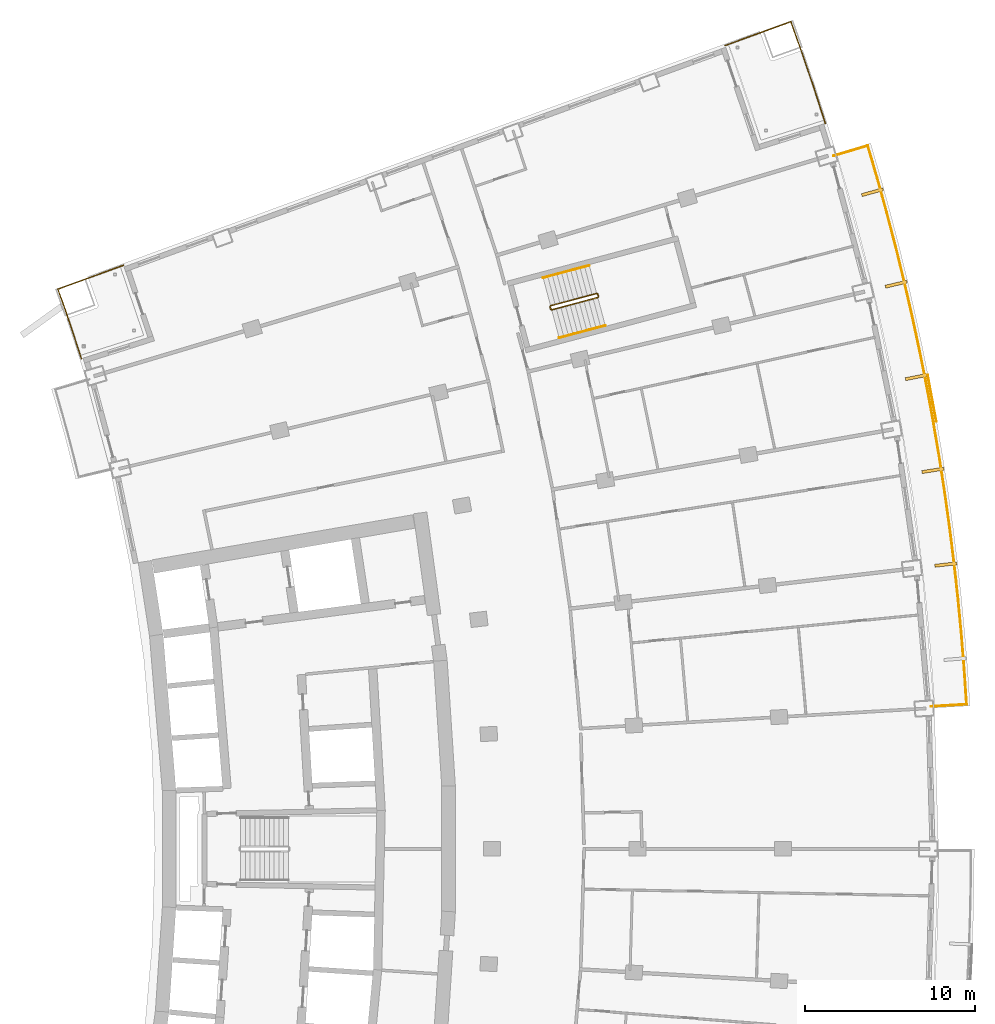
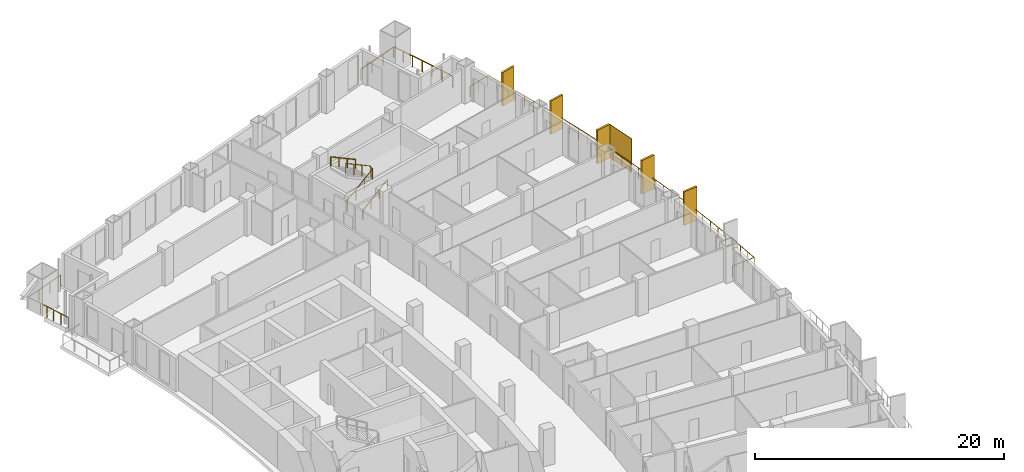
# One storey, part 24 of 24: 6 railings, 6 shading devices.
"""IFC4 building model written with IfcOpenShell, lengths in metres."""

from ifc_helpers import new_model, si_unit, direction, frame, origin, origin_2d, place, context, subcontext, project, spatial, rectangle, extrude, material, layer, layer_set, type_object, element, save


model = new_model("IFC4")

# Units and contexts
model_context = context("Model", 3, precision=1e-05, world=origin(), true_north=direction((0.0, 1.0)))
body_context = subcontext(model_context, "Body", "Model", "MODEL_VIEW")
ifc_project = project(units=[si_unit("LENGTHUNIT", "METRE"), si_unit("AREAUNIT", "SQUARE_METRE"), si_unit("VOLUMEUNIT", "CUBIC_METRE"), si_unit("PLANEANGLEUNIT", "RADIAN"), si_unit("MASSUNIT", "GRAM", prefix="KILO")], contexts=[model_context])

# Site, building, storey
site_placement = place(None, origin())
site = spatial("IfcSite", under=ifc_project, at=site_placement, CompositionType="ELEMENT")
building_placement = place(site_placement, origin())
building = spatial("IfcBuilding", under=site, at=building_placement, Name="Alderwake Tower", CompositionType="ELEMENT")
storey_placement = place(building_placement, frame((0.0, 0.0, 96.800048828125)))
storey = spatial("IfcBuildingStorey", under=building, at=storey_placement, Name="L23", CompositionType="ELEMENT", Elevation=96.800048828125)

# Railings
ifc_material_1 = material(Name="Stainless steel 316 rail and posts", Category="steel")
railing_type_1 = type_object("IfcRailingType", Name="Balcony guard 1100", PredefinedType="GUARDRAIL", material=ifc_material_1)
railing_1_placement = place(storey_placement, frame((61.552978515625, 69.365234375, 0.0)))
element("IfcRailing", 1, at=railing_1_placement, inside=storey, type_object=railing_type_1, Name="Guard BF08", PredefinedType="GUARDRAIL", context=body_context, shape_type="SweptSolid", body=[
    extrude(rectangle(XDim=0.048095703125, YDim=0.048095703125, at=origin_2d()), frame((0.0, 0.0, 1.076171875), z_axis=(0.998254674771, 0.059055942097, 0.0), x_axis=(-0.059055942097, 0.998254674771, 0.0)), (0.0, 0.0, 1.0), 2.10009765625),
    extrude(rectangle(XDim=0.048095703125, YDim=0.048095703125, at=origin_2d()), frame((2.096435546875, 0.1240234375, 1.076171875), z_axis=(-0.065967648342, 0.997821762326, 0.0), x_axis=(-0.997821762326, -0.065967648342, 0.0)), (0.0, 0.0, 1.0), 1.99853515625),
    extrude(rectangle(XDim=0.048095703125, YDim=0.048095703125, at=origin_2d()), frame((1.964599609375, 2.1181640625, 1.076171875), z_axis=(-0.080041152337, 0.996791559922, 0.0), x_axis=(-0.996791559922, -0.080041152337, 0.0)), (0.0, 0.0, 1.0), 2.0986328125),
    extrude(rectangle(XDim=0.048095703125, YDim=0.048095703125, at=origin_2d()), frame((1.796630859375, 4.2099609375, 1.076171875), z_axis=(-0.094699289711, 0.995505923904, 0.0), x_axis=(-0.995505923904, -0.094699289711, 0.0)), (0.0, 0.0, 1.0), 2.0986328125),
    extrude(rectangle(XDim=0.048095703125, YDim=0.048095703125, at=origin_2d()), frame((1.597900390625, 6.299072265625, 1.076171875), z_axis=(-0.109128966339, 0.994027599569, 0.0), x_axis=(-0.994027599569, -0.109128966339, 0.0)), (0.0, 0.0, 1.0), 2.098388671875),
    extrude(rectangle(XDim=0.048095703125, YDim=0.048095703125, at=origin_2d()), frame((1.368896484375, 8.385009765625, 1.076171875), z_axis=(-0.123662458816, 0.992324340264, 0.0), x_axis=(-0.992324340264, -0.123662458816, 0.0)), (0.0, 0.0, 1.0), 2.0986328125),
    extrude(rectangle(XDim=0.048095703125, YDim=0.048095703125, at=origin_2d()), frame((1.109375, 10.467529296875, 1.076171875), z_axis=(-0.138097834966, 0.990418592302, 0.0), x_axis=(-0.990418592302, -0.138097834966, 0.0)), (0.0, 0.0, 1.0), 2.098388671875),
    extrude(rectangle(XDim=0.048095703125, YDim=0.048095703125, at=origin_2d()), frame((0.819580078125, 12.5458984375, 1.076171875), z_axis=(-0.152520506341, 0.988300306155, 0.0), x_axis=(-0.988300306155, -0.152520506341, 0.0)), (0.0, 0.0, 1.0), 2.0986328125),
    extrude(rectangle(XDim=0.048095703125, YDim=0.048095703125, at=origin_2d()), frame((0.49951171875, 14.619873046875, 1.076171875), z_axis=(-0.16694530238, 0.985966158655, 0.0), x_axis=(-0.985966158655, -0.16694530238, 0.0)), (0.0, 0.0, 1.0), 2.0986328125),
    extrude(rectangle(XDim=0.048095703125, YDim=0.048095703125, at=origin_2d()), frame((0.149169921875, 16.68896484375, 1.076171875), z_axis=(-0.18126014614, 0.983435183132, 0.0), x_axis=(-0.983435183132, -0.18126014614, 0.0)), (0.0, 0.0, 1.0), 2.098388671875),
    extrude(rectangle(XDim=0.048095703125, YDim=0.048095703125, at=origin_2d()), frame((-0.231201171875, 18.752685546875, 1.076171875), z_axis=(-0.195691012753, 0.980665604336, 0.0), x_axis=(-0.980665604336, -0.195691012753, 0.0)), (0.0, 0.0, 1.0), 2.098388671875),
    extrude(rectangle(XDim=0.048095703125, YDim=0.048095703125, at=origin_2d()), frame((-0.641845703125, 20.810546875, 1.076171875), z_axis=(-0.209854794081, 0.977732563333, 0.0), x_axis=(-0.977732563333, -0.209854794081, 0.0)), (0.0, 0.0, 1.0), 2.0986328125),
    extrude(rectangle(XDim=0.048095703125, YDim=0.048095703125, at=origin_2d()), frame((-1.082275390625, 22.862548828125, 1.076171875), z_axis=(-0.224094649438, 0.974567385096, 0.0), x_axis=(-0.974567385096, -0.224094649438, 0.0)), (0.0, 0.0, 1.0), 2.098388671875),
    extrude(rectangle(XDim=0.048095703125, YDim=0.048095703125, at=origin_2d()), frame((-1.552490234375, 24.907470703125, 1.076171875), z_axis=(-0.238262937818, 0.971200685987, 0.0), x_axis=(-0.971200685987, -0.238262937818, 0.0)), (0.0, 0.0, 1.0), 2.0986328125),
    extrude(rectangle(XDim=0.048095703125, YDim=0.048095703125, at=origin_2d()), frame((-2.052490234375, 26.945556640625, 1.076171875), z_axis=(-0.252459784968, 0.967607387825, 0.0), x_axis=(-0.967607387825, -0.252459784968, 0.0)), (0.0, 0.0, 1.0), 2.098388671875),
    extrude(rectangle(XDim=0.048095703125, YDim=0.048095703125, at=origin_2d()), frame((-2.582275390625, 28.97607421875, 1.076171875), z_axis=(-0.266521673868, 0.963828925359, 0.0), x_axis=(-0.963828925359, -0.266521673868, 0.0)), (0.0, 0.0, 1.0), 2.0986328125),
    extrude(rectangle(XDim=0.048095703125, YDim=0.048095703125, at=origin_2d()), frame((-3.1416015625, 30.998779296875, 1.076171875), z_axis=(-0.280234538423, 0.95993156187, 0.0), x_axis=(-0.95993156187, -0.280234538423, 0.0)), (0.0, 0.0, 1.0), 1.99853515625),
    extrude(rectangle(XDim=0.048095703125, YDim=0.048095703125, at=origin_2d()), frame((-3.70166015625, 32.917236328125, 1.076171875), z_axis=(-0.957954179098, -0.286921227429, 0.0), x_axis=(0.286921227429, -0.957954179098, 0.0)), (0.0, 0.0, 1.0), 2.10009765625),
    extrude(rectangle(XDim=0.0419921875, YDim=0.0419921875, at=origin_2d()), frame((0.0, 0.0, 0.0), z_axis=(0.0, 0.0, 1.0), x_axis=(0.998254674771, 0.059055942097, 0.0)), (0.0, 0.0, 1.0), 1.052001953125),
    extrude(rectangle(XDim=0.0419921875, YDim=0.0419921875, at=origin_2d()), frame((1.04833984375, 0.06201171875, 0.0), z_axis=(0.0, 0.0, 1.0), x_axis=(0.998254674771, 0.059055942097, 0.0)), (0.0, 0.0, 1.0), 1.052001953125),
    extrude(rectangle(XDim=0.0419921875, YDim=0.0419921875, at=origin_2d()), frame((2.096435546875, 0.1240234375, 0.0), z_axis=(0.0, 0.0, 1.0), x_axis=(-0.065967648342, 0.997821762326, 0.0)), (0.0, 0.0, 1.0), 1.052001953125),
    extrude(rectangle(XDim=0.0419921875, YDim=0.0419921875, at=origin_2d()), frame((2.030517578125, 1.12109375, 0.0), z_axis=(0.0, 0.0, 1.0), x_axis=(-0.065967648342, 0.997821762326, 0.0)), (0.0, 0.0, 1.0), 1.052001953125),
    extrude(rectangle(XDim=0.0419921875, YDim=0.0419921875, at=origin_2d()), frame((1.964599609375, 2.1181640625, 0.0), z_axis=(0.0, 0.0, 1.0), x_axis=(-0.080041152337, 0.996791559922, 0.0)), (0.0, 0.0, 1.0), 1.052001953125),
    extrude(rectangle(XDim=0.0419921875, YDim=0.0419921875, at=origin_2d()), frame((1.880615234375, 3.1640625, 0.0), z_axis=(0.0, 0.0, 1.0), x_axis=(-0.080041152337, 0.996791559922, 0.0)), (0.0, 0.0, 1.0), 1.052001953125),
    extrude(rectangle(XDim=0.0419921875, YDim=0.0419921875, at=origin_2d()), frame((1.796630859375, 4.2099609375, 0.0), z_axis=(0.0, 0.0, 1.0), x_axis=(-0.094699289711, 0.995505923904, 0.0)), (0.0, 0.0, 1.0), 1.052001953125),
    extrude(rectangle(XDim=0.0419921875, YDim=0.0419921875, at=origin_2d()), frame((1.697265625, 5.25439453125, 0.0), z_axis=(0.0, 0.0, 1.0), x_axis=(-0.094699289711, 0.995505923904, 0.0)), (0.0, 0.0, 1.0), 1.052001953125),
    extrude(rectangle(XDim=0.0419921875, YDim=0.0419921875, at=origin_2d()), frame((1.597900390625, 6.299072265625, 0.0), z_axis=(0.0, 0.0, 1.0), x_axis=(-0.109128966339, 0.994027599569, 0.0)), (0.0, 0.0, 1.0), 1.052001953125),
    extrude(rectangle(XDim=0.0419921875, YDim=0.0419921875, at=origin_2d()), frame((1.4833984375, 7.342041015625, 0.0), z_axis=(0.0, 0.0, 1.0), x_axis=(-0.109128966339, 0.994027599569, 0.0)), (0.0, 0.0, 1.0), 1.052001953125),
    extrude(rectangle(XDim=0.0419921875, YDim=0.0419921875, at=origin_2d()), frame((1.368896484375, 8.385009765625, 0.0), z_axis=(0.0, 0.0, 1.0), x_axis=(-0.123662458816, 0.992324340264, 0.0)), (0.0, 0.0, 1.0), 1.052001953125),
    extrude(rectangle(XDim=0.0419921875, YDim=0.0419921875, at=origin_2d()), frame((1.2392578125, 9.42626953125, 0.0), z_axis=(0.0, 0.0, 1.0), x_axis=(-0.123662458816, 0.992324340264, 0.0)), (0.0, 0.0, 1.0), 1.052001953125),
    extrude(rectangle(XDim=0.0419921875, YDim=0.0419921875, at=origin_2d()), frame((1.109375, 10.467529296875, 0.0), z_axis=(0.0, 0.0, 1.0), x_axis=(-0.138097834966, 0.990418592302, 0.0)), (0.0, 0.0, 1.0), 1.052001953125),
    extrude(rectangle(XDim=0.0419921875, YDim=0.0419921875, at=origin_2d()), frame((0.96435546875, 11.5068359375, 0.0), z_axis=(0.0, 0.0, 1.0), x_axis=(-0.138097834966, 0.990418592302, 0.0)), (0.0, 0.0, 1.0), 1.052001953125),
    extrude(rectangle(XDim=0.0419921875, YDim=0.0419921875, at=origin_2d()), frame((0.819580078125, 12.5458984375, 0.0), z_axis=(0.0, 0.0, 1.0), x_axis=(-0.152520506341, 0.988300306155, 0.0)), (0.0, 0.0, 1.0), 1.052001953125),
    extrude(rectangle(XDim=0.0419921875, YDim=0.0419921875, at=origin_2d()), frame((0.65966796875, 13.5830078125, 0.0), z_axis=(0.0, 0.0, 1.0), x_axis=(-0.152520506341, 0.988300306155, 0.0)), (0.0, 0.0, 1.0), 1.052001953125),
    extrude(rectangle(XDim=0.0419921875, YDim=0.0419921875, at=origin_2d()), frame((0.49951171875, 14.619873046875, 0.0), z_axis=(0.0, 0.0, 1.0), x_axis=(-0.16694530238, 0.985966158655, 0.0)), (0.0, 0.0, 1.0), 1.052001953125),
    extrude(rectangle(XDim=0.0419921875, YDim=0.0419921875, at=origin_2d()), frame((0.32421875, 15.654296875, 0.0), z_axis=(0.0, 0.0, 1.0), x_axis=(-0.16694530238, 0.985966158655, 0.0)), (0.0, 0.0, 1.0), 1.052001953125),
    extrude(rectangle(XDim=0.0419921875, YDim=0.0419921875, at=origin_2d()), frame((0.149169921875, 16.68896484375, 0.0), z_axis=(0.0, 0.0, 1.0), x_axis=(-0.18126014614, 0.983435183132, 0.0)), (0.0, 0.0, 1.0), 1.052001953125),
    extrude(rectangle(XDim=0.0419921875, YDim=0.0419921875, at=origin_2d()), frame((-0.041015625, 17.720703125, 0.0), z_axis=(0.0, 0.0, 1.0), x_axis=(-0.18126014614, 0.983435183132, 0.0)), (0.0, 0.0, 1.0), 1.052001953125),
    extrude(rectangle(XDim=0.0419921875, YDim=0.0419921875, at=origin_2d()), frame((-0.231201171875, 18.752685546875, 0.0), z_axis=(0.0, 0.0, 1.0), x_axis=(-0.195691012753, 0.980665604336, 0.0)), (0.0, 0.0, 1.0), 1.052001953125),
    extrude(rectangle(XDim=0.0419921875, YDim=0.0419921875, at=origin_2d()), frame((-0.4365234375, 19.78173828125, 0.0), z_axis=(0.0, 0.0, 1.0), x_axis=(-0.195691012753, 0.980665604336, 0.0)), (0.0, 0.0, 1.0), 1.052001953125),
    extrude(rectangle(XDim=0.0419921875, YDim=0.0419921875, at=origin_2d()), frame((-0.641845703125, 20.810546875, 0.0), z_axis=(0.0, 0.0, 1.0), x_axis=(-0.209854794081, 0.977732563333, 0.0)), (0.0, 0.0, 1.0), 1.052001953125),
    extrude(rectangle(XDim=0.0419921875, YDim=0.0419921875, at=origin_2d()), frame((-0.862060546875, 21.83642578125, 0.0), z_axis=(0.0, 0.0, 1.0), x_axis=(-0.209854794081, 0.977732563333, 0.0)), (0.0, 0.0, 1.0), 1.052001953125),
    extrude(rectangle(XDim=0.0419921875, YDim=0.0419921875, at=origin_2d()), frame((-1.082275390625, 22.862548828125, 0.0), z_axis=(0.0, 0.0, 1.0), x_axis=(-0.224094649438, 0.974567385096, 0.0)), (0.0, 0.0, 1.0), 1.052001953125),
    extrude(rectangle(XDim=0.0419921875, YDim=0.0419921875, at=origin_2d()), frame((-1.3173828125, 23.885009765625, 0.0), z_axis=(0.0, 0.0, 1.0), x_axis=(-0.224094649438, 0.974567385096, 0.0)), (0.0, 0.0, 1.0), 1.052001953125),
    extrude(rectangle(XDim=0.0419921875, YDim=0.0419921875, at=origin_2d()), frame((-1.552490234375, 24.907470703125, 0.0), z_axis=(0.0, 0.0, 1.0), x_axis=(-0.238262937818, 0.971200685987, 0.0)), (0.0, 0.0, 1.0), 1.052001953125),
    extrude(rectangle(XDim=0.0419921875, YDim=0.0419921875, at=origin_2d()), frame((-1.802490234375, 25.926513671875, 0.0), z_axis=(0.0, 0.0, 1.0), x_axis=(-0.238262937818, 0.971200685987, 0.0)), (0.0, 0.0, 1.0), 1.052001953125),
    extrude(rectangle(XDim=0.0419921875, YDim=0.0419921875, at=origin_2d()), frame((-2.052490234375, 26.945556640625, 0.0), z_axis=(0.0, 0.0, 1.0), x_axis=(-0.252459784968, 0.967607387825, 0.0)), (0.0, 0.0, 1.0), 1.052001953125),
    extrude(rectangle(XDim=0.0419921875, YDim=0.0419921875, at=origin_2d()), frame((-2.3173828125, 27.9609375, 0.0), z_axis=(0.0, 0.0, 1.0), x_axis=(-0.252459784968, 0.967607387825, 0.0)), (0.0, 0.0, 1.0), 1.052001953125),
    extrude(rectangle(XDim=0.0419921875, YDim=0.0419921875, at=origin_2d()), frame((-2.582275390625, 28.97607421875, 0.0), z_axis=(0.0, 0.0, 1.0), x_axis=(-0.266521673868, 0.963828925359, 0.0)), (0.0, 0.0, 1.0), 1.052001953125),
    extrude(rectangle(XDim=0.0419921875, YDim=0.0419921875, at=origin_2d()), frame((-2.86181640625, 29.9873046875, 0.0), z_axis=(0.0, 0.0, 1.0), x_axis=(-0.266521673868, 0.963828925359, 0.0)), (0.0, 0.0, 1.0), 1.052001953125),
    extrude(rectangle(XDim=0.0419921875, YDim=0.0419921875, at=origin_2d()), frame((-3.1416015625, 30.998779296875, 0.0), z_axis=(0.0, 0.0, 1.0), x_axis=(-0.280234538423, 0.95993156187, 0.0)), (0.0, 0.0, 1.0), 1.052001953125),
    extrude(rectangle(XDim=0.0419921875, YDim=0.0419921875, at=origin_2d()), frame((-3.421630859375, 31.9580078125, 0.0), z_axis=(0.0, 0.0, 1.0), x_axis=(-0.280234538423, 0.95993156187, 0.0)), (0.0, 0.0, 1.0), 1.052001953125),
    extrude(rectangle(XDim=0.0419921875, YDim=0.0419921875, at=origin_2d()), frame((-3.70166015625, 32.917236328125, 0.0), z_axis=(0.0, 0.0, 1.0), x_axis=(-0.957954179098, -0.286921227429, 0.0)), (0.0, 0.0, 1.0), 1.052001953125),
    extrude(rectangle(XDim=0.0419921875, YDim=0.0419921875, at=origin_2d()), frame((-4.70751953125, 32.615966796875, 0.0), z_axis=(0.0, 0.0, 1.0), x_axis=(-0.957954179098, -0.286921227429, 0.0)), (0.0, 0.0, 1.0), 1.052001953125),
    extrude(rectangle(XDim=0.0419921875, YDim=0.0419921875, at=origin_2d()), frame((-5.71337890625, 32.314697265625, 0.0), z_axis=(0.0, 0.0, 1.0), x_axis=(-0.957954179098, -0.286921227429, 0.0)), (0.0, 0.0, 1.0), 1.052001953125),
])
railing_2_placement = place(storey_placement, frame((55.357666015625, 103.590087890625, 0.0)))
element("IfcRailing", 2, at=railing_2_placement, inside=storey, type_object=railing_type_1, Name="Guard terrace FN", PredefinedType="GUARDRAIL", context=body_context, shape_type="SweptSolid", body=[
    extrude(rectangle(XDim=0.048095703125, YDim=0.048095703125, at=origin_2d()), frame((0.0, 0.0, 1.076171875), z_axis=(-0.307791641716, 0.951453785157, 0.0), x_axis=(-0.951453785157, -0.307791641716, 0.0)), (0.0, 0.0, 1.0), 2.269287109375),
    extrude(rectangle(XDim=0.048095703125, YDim=0.048095703125, at=origin_2d()), frame((-0.698486328125, 2.1591796875, 1.076171875), z_axis=(-0.322203060236, 0.946670580495, 0.0), x_axis=(-0.946670580495, -0.322203060236, 0.0)), (0.0, 0.0, 1.0), 2.0693359375),
    extrude(rectangle(XDim=0.048095703125, YDim=0.048095703125, at=origin_2d()), frame((-1.365234375, 4.1181640625, 1.076171875), z_axis=(-0.335723744503, 0.94196049141, 0.0), x_axis=(-0.94196049141, -0.335723744503, 0.0)), (0.0, 0.0, 1.0), 1.96923828125),
    extrude(rectangle(XDim=0.048095703125, YDim=0.048095703125, at=origin_2d()), frame((-2.0263671875, 5.97314453125, 1.076171875), z_axis=(-0.939624669849, -0.342206779317, 0.0), x_axis=(0.342206779317, -0.939624669849, 0.0)), (0.0, 0.0, 1.0), 4.10009765625),
    extrude(rectangle(XDim=0.0419921875, YDim=0.0419921875, at=origin_2d()), frame((0.0, 0.0, 0.0), z_axis=(0.0, 0.0, 1.0), x_axis=(-0.307791641716, 0.951453785157, 0.0)), (0.0, 0.0, 1.0), 1.052001953125),
    extrude(rectangle(XDim=0.0419921875, YDim=0.0419921875, at=origin_2d()), frame((-0.34912109375, 1.07958984375, 0.0), z_axis=(0.0, 0.0, 1.0), x_axis=(-0.307791641716, 0.951453785157, 0.0)), (0.0, 0.0, 1.0), 1.052001953125),
    extrude(rectangle(XDim=0.0419921875, YDim=0.0419921875, at=origin_2d()), frame((-0.698486328125, 2.1591796875, 0.0), z_axis=(0.0, 0.0, 1.0), x_axis=(-0.322203060236, 0.946670580495, 0.0)), (0.0, 0.0, 1.0), 1.052001953125),
    extrude(rectangle(XDim=0.0419921875, YDim=0.0419921875, at=origin_2d()), frame((-1.03173828125, 3.138671875, 0.0), z_axis=(0.0, 0.0, 1.0), x_axis=(-0.322203060236, 0.946670580495, 0.0)), (0.0, 0.0, 1.0), 1.052001953125),
    extrude(rectangle(XDim=0.0419921875, YDim=0.0419921875, at=origin_2d()), frame((-1.365234375, 4.1181640625, 0.0), z_axis=(0.0, 0.0, 1.0), x_axis=(-0.335723744503, 0.94196049141, 0.0)), (0.0, 0.0, 1.0), 1.052001953125),
    extrude(rectangle(XDim=0.0419921875, YDim=0.0419921875, at=origin_2d()), frame((-1.69580078125, 5.045654296875, 0.0), z_axis=(0.0, 0.0, 1.0), x_axis=(-0.335723744503, 0.94196049141, 0.0)), (0.0, 0.0, 1.0), 1.052001953125),
    extrude(rectangle(XDim=0.0419921875, YDim=0.0419921875, at=origin_2d()), frame((-2.0263671875, 5.97314453125, 0.0), z_axis=(0.0, 0.0, 1.0), x_axis=(-0.939624669849, -0.342206779317, 0.0)), (0.0, 0.0, 1.0), 1.052001953125),
    extrude(rectangle(XDim=0.0419921875, YDim=0.0419921875, at=origin_2d()), frame((-3.310546875, 5.50537109375, 0.0), z_axis=(0.0, 0.0, 1.0), x_axis=(-0.939624669849, -0.342206779317, 0.0)), (0.0, 0.0, 1.0), 1.052001953125),
    extrude(rectangle(XDim=0.0419921875, YDim=0.0419921875, at=origin_2d()), frame((-4.5947265625, 5.037841796875, 0.0), z_axis=(0.0, 0.0, 1.0), x_axis=(-0.939624669849, -0.342206779317, 0.0)), (0.0, 0.0, 1.0), 1.052001953125),
    extrude(rectangle(XDim=0.0419921875, YDim=0.0419921875, at=origin_2d()), frame((-5.87890625, 4.570068359375, 0.0), z_axis=(0.0, 0.0, 1.0), x_axis=(-0.939624669849, -0.342206779317, 0.0)), (0.0, 0.0, 1.0), 1.052001953125),
])
railing_3_placement = place(storey_placement, frame((11.688720703125, 89.781982421875, 0.0)))
element("IfcRailing", 3, at=railing_3_placement, inside=storey, type_object=railing_type_1, Name="Guard terrace RN", PredefinedType="GUARDRAIL", context=body_context, shape_type="SweptSolid", body=[
    extrude(rectangle(XDim=0.048095703125, YDim=0.048095703125, at=origin_2d()), frame((0.0, 0.0, 1.076171875), z_axis=(-0.307479326145, 0.951554761426, 0.0), x_axis=(-0.951554761426, -0.307479326145, 0.0)), (0.0, 0.0, 1.0), 1.6015625),
    extrude(rectangle(XDim=0.048095703125, YDim=0.048095703125, at=origin_2d()), frame((-0.492431640625, 1.52392578125, 1.076171875), z_axis=(-0.322283727344, 0.946643121292, 0.0), x_axis=(-0.946643121292, -0.322283727344, 0.0)), (0.0, 0.0, 1.0), 1.4013671875),
    extrude(rectangle(XDim=0.048095703125, YDim=0.048095703125, at=origin_2d()), frame((-0.944091796875, 2.8505859375, 1.076171875), z_axis=(-0.335468607403, 0.942051385778, 0.0), x_axis=(-0.942051385778, -0.335468607403, 0.0)), (0.0, 0.0, 1.0), 1.30126953125),
    extrude(rectangle(XDim=0.048095703125, YDim=0.048095703125, at=origin_2d()), frame((-1.380615234375, 4.076416015625, 1.076171875), z_axis=(0.939708203232, 0.341977327873, 0.0), x_axis=(-0.341977327873, 0.939708203232, 0.0)), (0.0, 0.0, 1.0), 4.10009765625),
    extrude(rectangle(XDim=0.0419921875, YDim=0.0419921875, at=origin_2d()), frame((0.0, 0.0, 0.0), z_axis=(0.0, 0.0, 1.0), x_axis=(-0.307479326145, 0.951554761426, 0.0)), (0.0, 0.0, 1.0), 1.052001953125),
    extrude(rectangle(XDim=0.0419921875, YDim=0.0419921875, at=origin_2d()), frame((-0.24609375, 0.761962890625, 0.0), z_axis=(0.0, 0.0, 1.0), x_axis=(-0.307479326145, 0.951554761426, 0.0)), (0.0, 0.0, 1.0), 1.052001953125),
    extrude(rectangle(XDim=0.0419921875, YDim=0.0419921875, at=origin_2d()), frame((-0.492431640625, 1.52392578125, 0.0), z_axis=(0.0, 0.0, 1.0), x_axis=(-0.322283727344, 0.946643121292, 0.0)), (0.0, 0.0, 1.0), 1.052001953125),
    extrude(rectangle(XDim=0.0419921875, YDim=0.0419921875, at=origin_2d()), frame((-0.71826171875, 2.187255859375, 0.0), z_axis=(0.0, 0.0, 1.0), x_axis=(-0.322283727344, 0.946643121292, 0.0)), (0.0, 0.0, 1.0), 1.052001953125),
    extrude(rectangle(XDim=0.0419921875, YDim=0.0419921875, at=origin_2d()), frame((-0.944091796875, 2.8505859375, 0.0), z_axis=(0.0, 0.0, 1.0), x_axis=(-0.335468607403, 0.942051385778, 0.0)), (0.0, 0.0, 1.0), 1.052001953125),
    extrude(rectangle(XDim=0.0419921875, YDim=0.0419921875, at=origin_2d()), frame((-1.380615234375, 4.076416015625, 0.0), z_axis=(0.0, 0.0, 1.0), x_axis=(0.939708203232, 0.341977327873, 0.0)), (0.0, 0.0, 1.0), 1.052001953125),
    extrude(rectangle(XDim=0.0419921875, YDim=0.0419921875, at=origin_2d()), frame((-0.096435546875, 4.543701171875, 0.0), z_axis=(0.0, 0.0, 1.0), x_axis=(0.939708203232, 0.341977327873, 0.0)), (0.0, 0.0, 1.0), 1.052001953125),
    extrude(rectangle(XDim=0.0419921875, YDim=0.0419921875, at=origin_2d()), frame((1.18798828125, 5.01123046875, 0.0), z_axis=(0.0, 0.0, 1.0), x_axis=(0.939708203232, 0.341977327873, 0.0)), (0.0, 0.0, 1.0), 1.052001953125),
    extrude(rectangle(XDim=0.0419921875, YDim=0.0419921875, at=origin_2d()), frame((2.47216796875, 5.478515625, 0.0), z_axis=(0.0, 0.0, 1.0), x_axis=(0.939708203232, 0.341977327873, 0.0)), (0.0, 0.0, 1.0), 1.052001953125),
])

# Shading devices
ifc_material_2 = material(Name="Bronze anodised aluminium", Category="aluminium")
ifc_layer_1 = layer(ifc_material_2, 0.179931640625)
ifc_layer_set_1 = layer_set([ifc_layer_1], Name="Facade fin 1300")
shading_device_type_1 = type_object("IfcShadingDeviceType", Name="Facade fin 1300", PredefinedType="USERDEFINED", material=ifc_layer_set_1)
for number, where, z_axis, x_axis, name in (
    (4, (62.424560546875, 77.69677734375, 0.0), (0.0, 0.0, 1.0), (0.993198315083, 0.116434990084, 0.0), "Fin"),
    (5, (61.66748046875, 83.22314453125, 0.0), (0.0, 0.0, 1.0), (0.987918787879, 0.154972476771, 0.0), "Fin"),
    (6, (60.698974609375, 88.70166015625, 0.0), (0.0, 0.0, 1.0), (0.981163751315, 0.193177879441, 0.0), "Fin"),
    (7, (59.51513671875, 94.152587890625, 0.0), (0.0, 0.0, 1.0), (0.972908790564, 0.231189284448, 0.0), "Fin"),
    (8, (58.120361328125, 99.55322265625, 0.0), (0.0, 0.0, 1.0), (0.96318180783, 0.268850897459, 0.0), "Fin"),
):
    element("IfcShadingDevice", number, at=place(storey_placement, frame(where, z_axis=z_axis, x_axis=x_axis)), inside=storey, type_object=shading_device_type_1, Name=name, ObjectType="FIN", PredefinedType="USERDEFINED", context=body_context, shape_type="SweptSolid", body=[
        extrude(rectangle(XDim=1.300048828125, YDim=0.179931640625, at=origin_2d()), origin(), (0.0, 0.0, 1.0), 3.280029296875),
    ])
ifc_material_3 = material(Name="Perforated bronze anodised aluminium", Category="aluminium")
ifc_layer_2 = layer(ifc_material_3, 0.050048828125)
ifc_layer_set_2 = layer_set([ifc_layer_2], Name="Perforated screen panel")
shading_device_type_2 = type_object("IfcShadingDeviceType", Name="Perforated screen panel", PredefinedType="USERDEFINED", material=ifc_layer_set_2)
shading_device_placement = place(storey_placement, frame((61.617919921875, 87.45849609375, 0.0), z_axis=(0.0, 0.0, 1.0), x_axis=(0.982991488043, 0.183651121519, 0.0)))
element("IfcShadingDevice", 9, at=shading_device_placement, inside=storey, type_object=shading_device_type_2, Name="Screen panel", ObjectType="SCREEN", PredefinedType="USERDEFINED", context=body_context, shape_type="SweptSolid", body=[
    extrude(rectangle(XDim=0.050048828125, YDim=2.794921875, at=origin_2d()), origin(), (0.0, 0.0, 1.0), 3.280029296875),
])

# Railings
ifc_material_4 = material(Name="Stainless steel guard", Category="steel")
railing_type_2 = type_object("IfcRailingType", Name="Stair guard 1100", PredefinedType="GUARDRAIL", material=ifc_material_4)
railing_4_placement = place(storey_placement, frame((39.23291015625, 92.6806640625, 0.0)))
element("IfcRailing", 10, at=railing_4_placement, inside=storey, type_object=railing_type_2, Name="L23 ST-A stair guard 1", PredefinedType="GUARDRAIL", context=body_context, shape_type="SweptSolid", body=[
    extrude(rectangle(XDim=0.048095703125, YDim=0.048095703125, at=origin_2d()), frame((0.0, 0.0, 1.076171875), z_axis=(-0.257055032184, 0.966396766566, 0.0), x_axis=(-0.966396766566, -0.257055032184, 0.0)), (0.0, 0.0, 1.0), 0.150146484375),
    extrude(rectangle(XDim=0.048095703125, YDim=0.048095703125, at=origin_2d()), frame((-0.03857421875, 0.14501953125, 1.076171875), z_axis=(0.379370725808, -0.685464465458, 0.621463047167), x_axis=(0.874937996095, 0.484234966715, 0.0)), (0.0, 0.0, 1.0), 0.26318359375),
    extrude(rectangle(XDim=0.048095703125, YDim=0.048095703125, at=origin_2d()), frame((0.061279296875, -0.035400390625, 1.23974609375), z_axis=(0.834258940753, 0.22222815314, 0.504605457487), x_axis=(-0.257402139082, 0.966304371715, 0.0)), (0.0, 0.0, 1.0), 3.2431640625),
    extrude(rectangle(XDim=0.048095703125, YDim=0.048095703125, at=origin_2d()), frame((2.766845703125, 0.685302734375, 2.8759765625), z_axis=(0.500220121494, 0.865898279276, 0.0), x_axis=(-0.865898279276, 0.500220121494, 0.0)), (0.0, 0.0, 1.0), 0.07080078125),
    extrude(rectangle(XDim=0.048095703125, YDim=0.048095703125, at=origin_2d()), frame((2.80224609375, 0.74658203125, 2.8759765625), z_axis=(-0.257459803502, 0.966289009345, 0.0), x_axis=(-0.966289009345, -0.257459803502, 0.0)), (0.0, 0.0, 1.0), 0.14990234375),
    extrude(rectangle(XDim=0.048095703125, YDim=0.048095703125, at=origin_2d()), frame((2.763671875, 0.891357421875, 2.8759765625), z_axis=(-0.34252489212, 0.200034536998, 0.917966710881), x_axis=(-0.504300490226, -0.863528236688, 0.0)), (0.0, 0.0, 1.0), 0.17822265625),
    extrude(rectangle(XDim=0.048095703125, YDim=0.048095703125, at=origin_2d()), frame((2.70263671875, 0.927001953125, 3.03955078125), z_axis=(-0.834313512087, -0.222222637163, 0.504517653885), x_axis=(0.257380452725, -0.966310148221, 0.0)), (0.0, 0.0, 1.0), 3.2431640625),
    extrude(rectangle(XDim=0.0419921875, YDim=0.0419921875, at=origin_2d()), frame((0.0, 0.0, 0.0), z_axis=(0.0, 0.0, 1.0), x_axis=(-0.257055032184, 0.966396766566, 0.0)), (0.0, 0.0, 1.0), 1.052001953125),
    extrude(rectangle(XDim=0.0419921875, YDim=0.0419921875, at=origin_2d()), frame((-0.03857421875, 0.14501953125, 0.0), z_axis=(0.0, 0.0, 1.0), x_axis=(0.484234966715, -0.874937996095, 0.0)), (0.0, 0.0, 1.0), 1.052001953125),
    extrude(rectangle(XDim=0.0419921875, YDim=0.0419921875, at=origin_2d()), frame((0.061279296875, -0.035400390625, 0.16357421875), z_axis=(0.0, 0.0, 1.0), x_axis=(0.966304371715, 0.257402139082, 0.0)), (0.0, 0.0, 1.0), 1.052001953125),
    extrude(rectangle(XDim=0.0419921875, YDim=0.0419921875, at=origin_2d()), frame((0.963134765625, 0.204833984375, 0.708984375), z_axis=(0.0, 0.0, 1.0), x_axis=(0.966304371715, 0.257402139082, 0.0)), (0.0, 0.0, 1.0), 1.052001953125),
    extrude(rectangle(XDim=0.0419921875, YDim=0.0419921875, at=origin_2d()), frame((1.864990234375, 0.445068359375, 1.254638671875), z_axis=(0.0, 0.0, 1.0), x_axis=(0.966304371715, 0.257402139082, 0.0)), (0.0, 0.0, 1.0), 1.052001953125),
    extrude(rectangle(XDim=0.0419921875, YDim=0.0419921875, at=origin_2d()), frame((2.766845703125, 0.685302734375, 1.800048828125), z_axis=(0.0, 0.0, 1.0), x_axis=(0.500220121494, 0.865898279276, 0.0)), (0.0, 0.0, 1.0), 1.052001953125),
    extrude(rectangle(XDim=0.0419921875, YDim=0.0419921875, at=origin_2d()), frame((2.80224609375, 0.74658203125, 1.800048828125), z_axis=(0.0, 0.0, 1.0), x_axis=(-0.257459803502, 0.966289009345, 0.0)), (0.0, 0.0, 1.0), 1.052001953125),
    extrude(rectangle(XDim=0.0419921875, YDim=0.0419921875, at=origin_2d()), frame((2.763671875, 0.891357421875, 1.800048828125), z_axis=(0.0, 0.0, 1.0), x_axis=(-0.863528236688, 0.504300490226, 0.0)), (0.0, 0.0, 1.0), 1.052001953125),
    extrude(rectangle(XDim=0.0419921875, YDim=0.0419921875, at=origin_2d()), frame((2.70263671875, 0.927001953125, 1.963623046875), z_axis=(0.0, 0.0, 1.0), x_axis=(-0.966310148221, -0.257380452725, 0.0)), (0.0, 0.0, 1.0), 1.052001953125),
    extrude(rectangle(XDim=0.0419921875, YDim=0.0419921875, at=origin_2d()), frame((1.80078125, 0.686767578125, 2.509033203125), z_axis=(0.0, 0.0, 1.0), x_axis=(-0.966310148221, -0.257380452725, 0.0)), (0.0, 0.0, 1.0), 1.052001953125),
    extrude(rectangle(XDim=0.0419921875, YDim=0.0419921875, at=origin_2d()), frame((0.898681640625, 0.446533203125, 3.054443359375), z_axis=(0.0, 0.0, 1.0), x_axis=(-0.966310148221, -0.257380452725, 0.0)), (0.0, 0.0, 1.0), 1.052001953125),
    extrude(rectangle(XDim=0.0419921875, YDim=0.0419921875, at=origin_2d()), frame((-0.003173828125, 0.206298828125, 3.599853515625), z_axis=(0.0, 0.0, 1.0), x_axis=(-0.966310148221, -0.257380452725, 0.0)), (0.0, 0.0, 1.0), 1.052001953125),
])
ifc_material_5 = material(Name="Stainless steel handrail", Category="steel")
railing_type_3 = type_object("IfcRailingType", Name="Stair handrail 900", PredefinedType="HANDRAIL", material=ifc_material_5)
railing_5_placement = place(storey_placement, frame((39.731689453125, 91.002685546875, 0.16357421875)))
element("IfcRailing", 11, at=railing_5_placement, inside=storey, type_object=railing_type_3, Name="L23 ST-A stair handrail 1", PredefinedType="HANDRAIL", context=body_context, shape_type="SweptSolid", body=[
    extrude(rectangle(XDim=0.048095703125, YDim=0.048095703125, at=origin_2d()), frame((0.0, 0.0, 0.8759765625), z_axis=(0.834258940753, 0.22222815314, 0.504605457487), x_axis=(-0.257402139082, 0.966304371715, 0.0)), (0.0, 0.0, 1.0), 3.2431640625),
    extrude(rectangle(XDim=0.0419921875, YDim=0.0419921875, at=origin_2d()), frame((0.0, 0.0, 0.0), z_axis=(0.0, 0.0, 1.0), x_axis=(0.966304371715, 0.257402139082, 0.0)), (0.0, 0.0, 1.0), 0.851806640625),
    extrude(rectangle(XDim=0.0419921875, YDim=0.0419921875, at=origin_2d()), frame((0.90185546875, 0.240234375, 0.54541015625), z_axis=(0.0, 0.0, 1.0), x_axis=(0.966304371715, 0.257402139082, 0.0)), (0.0, 0.0, 1.0), 0.851806640625),
    extrude(rectangle(XDim=0.0419921875, YDim=0.0419921875, at=origin_2d()), frame((1.8037109375, 0.48046875, 1.091064453125), z_axis=(0.0, 0.0, 1.0), x_axis=(0.966304371715, 0.257402139082, 0.0)), (0.0, 0.0, 1.0), 0.851806640625),
    extrude(rectangle(XDim=0.0419921875, YDim=0.0419921875, at=origin_2d()), frame((2.70556640625, 0.720703125, 1.636474609375), z_axis=(0.0, 0.0, 1.0), x_axis=(0.966304371715, 0.257402139082, 0.0)), (0.0, 0.0, 1.0), 0.851806640625),
])
railing_6_placement = place(storey_placement, frame((41.497802734375, 95.250244140625, 1.963623046875)))
element("IfcRailing", 12, at=railing_6_placement, inside=storey, type_object=railing_type_3, Name="L23 ST-A stair handrail 2", PredefinedType="HANDRAIL", context=body_context, shape_type="SweptSolid", body=[
    extrude(rectangle(XDim=0.048095703125, YDim=0.048095703125, at=origin_2d()), frame((0.0, 0.0, 0.8759765625), z_axis=(-0.834290631165, -0.222236594766, 0.504549342183), x_axis=(0.257402139082, -0.966304371715, 0.0)), (0.0, 0.0, 1.0), 3.242919921875),
    extrude(rectangle(XDim=0.0419921875, YDim=0.0419921875, at=origin_2d()), frame((0.0, 0.0, 0.0), z_axis=(0.0, 0.0, 1.0), x_axis=(-0.966304371715, -0.257402139082, 0.0)), (0.0, 0.0, 1.0), 0.851806640625),
    extrude(rectangle(XDim=0.0419921875, YDim=0.0419921875, at=origin_2d()), frame((-0.90185546875, -0.240234375, 0.54541015625), z_axis=(0.0, 0.0, 1.0), x_axis=(-0.966304371715, -0.257402139082, 0.0)), (0.0, 0.0, 1.0), 0.851806640625),
    extrude(rectangle(XDim=0.0419921875, YDim=0.0419921875, at=origin_2d()), frame((-1.8037109375, -0.48046875, 1.0908203125), z_axis=(0.0, 0.0, 1.0), x_axis=(-0.966304371715, -0.257402139082, 0.0)), (0.0, 0.0, 1.0), 0.851806640625),
    extrude(rectangle(XDim=0.0419921875, YDim=0.0419921875, at=origin_2d()), frame((-2.70556640625, -0.720703125, 1.63623046875), z_axis=(0.0, 0.0, 1.0), x_axis=(-0.966304371715, -0.257402139082, 0.0)), (0.0, 0.0, 1.0), 0.851806640625),
])

save(model, "model.ifc")
